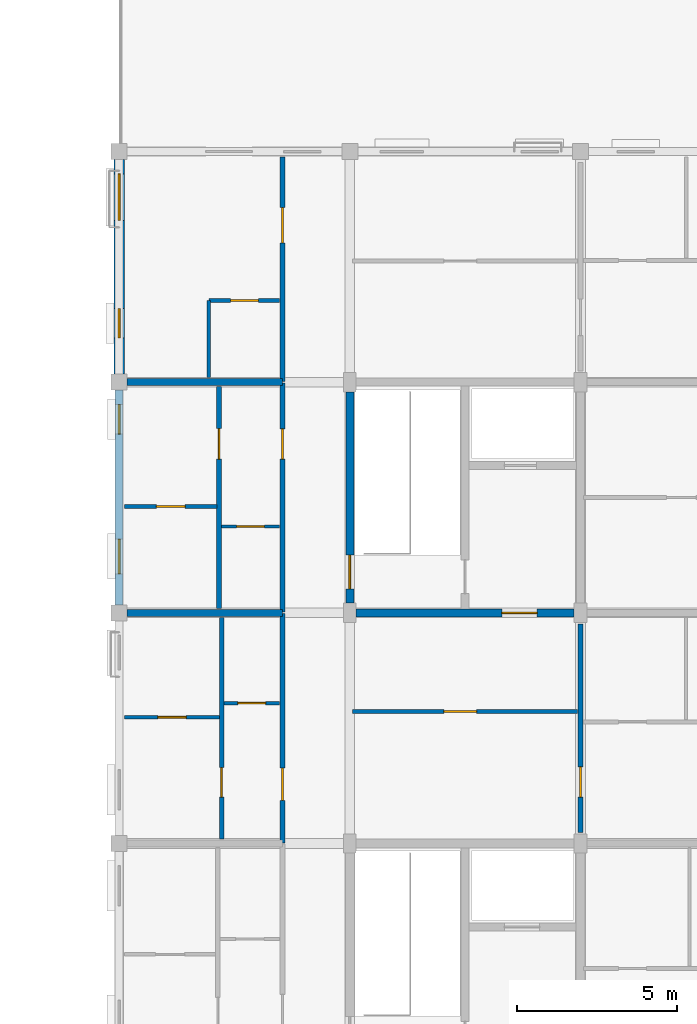
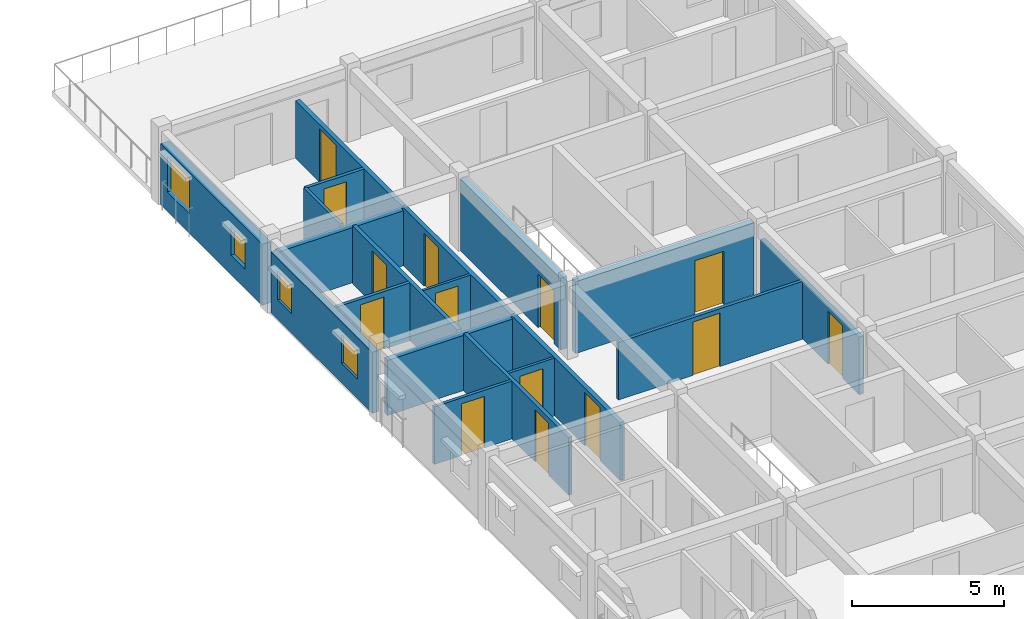
# One storey, part 23 of 38: 19 walls, 14 doors, 4 windows, 18 openings.
"""IFC4 building model written with IfcOpenShell, lengths in metres."""

from ifc_helpers import new_model, si_unit, direction, frame, frame_2d, origin, place, context, subcontext, project, spatial, rectangle, extrude, material, layer, layer_set, type_object, element, fill, save


model = new_model("IFC4")

# Units and contexts
model_context = context("Model", 3, precision=1e-05, world=origin(), true_north=direction((0.0, 1.0)))
body_context = subcontext(model_context, "Body", "Model", "MODEL_VIEW")
ifc_project = project(units=[si_unit("LENGTHUNIT", "METRE"), si_unit("AREAUNIT", "SQUARE_METRE"), si_unit("VOLUMEUNIT", "CUBIC_METRE"), si_unit("PLANEANGLEUNIT", "RADIAN"), si_unit("MASSUNIT", "GRAM", prefix="KILO"), si_unit("THERMODYNAMICTEMPERATUREUNIT", "KELVIN"), si_unit("POWERUNIT", "WATT")], contexts=[model_context])

# Site, building, storey
site_placement = place(None, origin())
site = spatial("IfcSite", under=ifc_project, at=site_placement, CompositionType="ELEMENT")
building_placement = place(site_placement, origin())
building = spatial("IfcBuilding", under=site, at=building_placement, Name="Tavuni Mirador Residences", CompositionType="ELEMENT")
storey_placement = place(building_placement, frame((0.0, 0.0, 32.85009765625)))
storey = spatial("IfcBuildingStorey", under=building, at=storey_placement, Name="L10", CompositionType="ELEMENT", Elevation=32.85009765625)

# Wall, opening, door
ifc_material_1 = material(Name="Precast concrete C40/50", Category="concrete")
ifc_layer_1 = layer(ifc_material_1, 0.25, Name="Precast concrete C40/50", Category="concrete")
ifc_layer_set_1 = layer_set([ifc_layer_1], Name="Precast concrete C40/50")
wall_type_1 = type_object("IfcWallType", Name="WT-COR250", PredefinedType="SHEAR", material=ifc_layer_set_1)
wall_1_placement = place(storey_placement, frame((104.39990234375, 108.300048828125, 0.0), z_axis=(0.0, 0.0, 1.0), x_axis=(0.0, 1.0, 0.0)))
wall_1 = element("IfcWall", 1, at=wall_1_placement, inside=storey, type_object=wall_type_1, Name="CWALL-C8-L10-W", PredefinedType="SHEAR", context=body_context, shape_type="SweptSolid", body=[
    extrude(rectangle(XDim=6.599853515625, YDim=0.25, at=frame_2d((3.2998046875, 0.0))), origin(), (0.0, 0.0, 1.0), 2.889892578125),
])
opening_1_placement = place(wall_1_placement, frame((0.449951171875, 0.0, 0.0)))
opening_1 = element("IfcOpeningElement", 2, at=opening_1_placement, cuts=wall_1, Name="Opening D-01", PredefinedType="OPENING", context=body_context, shape_type="SweptSolid", body=[
    extrude(rectangle(XDim=1.050048828125, YDim=2.14990234375, at=frame_2d((0.52490234375, 1.074951171875))), frame((0.0, 0.135009765625, 0.0), z_axis=(0.0, -1.0, 0.0), x_axis=(1.0, 0.0, 0.0)), (0.0, 0.0, 1.0), 0.27001953125),
])
ifc_material_2 = material(Name="Solid core iroko timber", Category="wood")
door_type_1 = type_object("IfcDoorType", Name="DT-ST1050", OperationType="NOTDEFINED", PredefinedType="DOOR", material=ifc_material_2)
door_1_placement = place(opening_1_placement, origin())
door_1 = element("IfcDoor", 3, at=door_1_placement, inside=storey, type_object=door_type_1, Name="DR-2353", OperationType="SINGLE_SWING_RIGHT", OverallHeight=2.14990234375, OverallWidth=1.050048828125, PredefinedType="DOOR", context=body_context, shape_type="SweptSolid", body=[
    extrude(rectangle(XDim=1.050048828125, YDim=2.14990234375, at=frame_2d((0.52490234375, 1.074951171875))), frame((0.0, 0.02490234375, 0.0), z_axis=(0.0, -1.0, 0.0), x_axis=(1.0, 0.0, 0.0)), (0.0, 0.0, 1.0), 0.050048828125),
])
fill(opening_1, door_1)

wall_2_placement = place(storey_placement, frame((104.60009765625, 108.0, 0.0), z_axis=(0.0, 0.0, 1.0), x_axis=(1.0, 0.0, 0.0)))
wall_2 = element("IfcWall", 4, at=wall_2_placement, inside=storey, type_object=wall_type_1, Name="CWALL-C8-L10-SS", PredefinedType="SHEAR", context=body_context, shape_type="SweptSolid", body=[
    extrude(rectangle(XDim=6.7998046875, YDim=0.25, at=frame_2d((3.39990234375, 0.0))), origin(), (0.0, 0.0, 1.0), 2.889892578125),
])
opening_2_placement = place(wall_2_placement, frame((4.550048828125, 0.0, 0.0)))
opening_2 = element("IfcOpeningElement", 5, at=opening_2_placement, cuts=wall_2, Name="Opening D-02", PredefinedType="OPENING", context=body_context, shape_type="SweptSolid", body=[
    extrude(rectangle(XDim=1.10009765625, YDim=2.14990234375, at=frame_2d((0.550048828125, 1.074951171875))), frame((0.0, 0.135009765625, 0.0), z_axis=(0.0, -1.0, 0.0), x_axis=(1.0, 0.0, 0.0)), (0.0, 0.0, 1.0), 0.27001953125),
])
door_type_2 = type_object("IfcDoorType", Name="DT-LOB1100", OperationType="NOTDEFINED", PredefinedType="DOOR", material=ifc_material_2)
door_2_placement = place(opening_2_placement, frame((1.10009765625, 0.0, 0.0), z_axis=(0.0, 0.0, 1.0), x_axis=(-1.0, 0.0, 0.0)))
door_2 = element("IfcDoor", 6, at=door_2_placement, inside=storey, type_object=door_type_2, Name="DR-2354", OperationType="SINGLE_SWING_RIGHT", OverallHeight=2.14990234375, OverallWidth=1.10009765625, PredefinedType="DOOR", context=body_context, shape_type="SweptSolid", body=[
    extrude(rectangle(XDim=1.10009765625, YDim=2.14990234375, at=frame_2d((0.550048828125, 1.074951171875))), frame((0.0, 0.02490234375, 0.0), z_axis=(0.0, -1.0, 0.0), x_axis=(1.0, 0.0, 0.0)), (0.0, 0.0, 1.0), 0.050048828125),
])
fill(opening_2, door_2)

ifc_layer_2 = layer(ifc_material_1, 0.1650390625, Name="Precast concrete C40/50", Category="concrete")
ifc_layer_set_2 = layer_set([ifc_layer_2], Name="Precast concrete C40/50")
wall_type_2 = type_object("IfcWallType", Name="WT-CORR165", PredefinedType="PARTITIONING", material=ifc_layer_set_2)
wall_3_placement = place(storey_placement, frame((102.300048828125, 100.820068359375, 0.0), z_axis=(0.0, 0.0, 1.0), x_axis=(0.0, 1.0, 0.0)))
wall_3 = element("IfcWall", 7, at=wall_3_placement, inside=storey, type_object=wall_type_2, Name="CORW-BLK-D-L10-0-02", PredefinedType="PARTITIONING", context=body_context, shape_type="SweptSolid", body=[
    extrude(rectangle(XDim=7.159912109375, YDim=0.1650390625, at=frame_2d((3.580078125, 0.0))), origin(), (0.0, 0.0, 1.0), 2.324951171875),
])
opening_3_placement = place(wall_3_placement, frame((1.330078125, 0.0, 0.0)))
opening_3 = element("IfcOpeningElement", 8, at=opening_3_placement, cuts=wall_3, Name="Opening D-03", PredefinedType="OPENING", context=body_context, shape_type="SweptSolid", body=[
    extrude(rectangle(XDim=1.0, YDim=2.14990234375, at=frame_2d((0.5, 1.074951171875))), frame((0.0, 0.092529296875, 0.0), z_axis=(0.0, -1.0, 0.0), x_axis=(1.0, 0.0, 0.0)), (0.0, 0.0, 1.0), 0.18505859375),
])
door_type_3 = type_object("IfcDoorType", Name="DT-FD60-1000", OperationType="NOTDEFINED", PredefinedType="DOOR", material=ifc_material_2)
door_3_placement = place(opening_3_placement, origin())
door_3 = element("IfcDoor", 9, at=door_3_placement, inside=storey, type_object=door_type_3, Name="DR-2925", OperationType="SINGLE_SWING_RIGHT", OverallHeight=2.14990234375, OverallWidth=1.0, PredefinedType="DOOR", context=body_context, shape_type="SweptSolid", body=[
    extrude(rectangle(XDim=1.0, YDim=2.14990234375, at=frame_2d((0.5, 1.074951171875))), frame((0.0, 0.02490234375, 0.0), z_axis=(0.0, -1.0, 0.0), x_axis=(1.0, 0.0, 0.0)), (0.0, 0.0, 1.0), 0.050048828125),
])
fill(opening_3, door_3)

wall_4_placement = place(storey_placement, frame((102.300048828125, 108.02001953125, 0.0), z_axis=(0.0, 0.0, 1.0), x_axis=(0.0, 1.0, 0.0)))
wall_4 = element("IfcWall", 10, at=wall_4_placement, inside=storey, type_object=wall_type_2, Name="CORW-BLK-D-L10-0-03", PredefinedType="PARTITIONING", context=body_context, shape_type="SweptSolid", body=[
    extrude(rectangle(XDim=7.159912109375, YDim=0.1650390625, at=frame_2d((3.580078125, 0.0))), origin(), (0.0, 0.0, 1.0), 2.324951171875),
])
opening_4_placement = place(wall_4_placement, frame((4.780029296875, 0.0, 0.0)))
opening_4 = element("IfcOpeningElement", 11, at=opening_4_placement, cuts=wall_4, Name="Opening D-19", PredefinedType="OPENING", context=body_context, shape_type="SweptSolid", body=[
    extrude(rectangle(XDim=0.93994140625, YDim=2.1201171875, at=frame_2d((0.469970703125, 1.06005859375))), frame((0.0, 0.092529296875, 0.0), z_axis=(0.0, -1.0, 0.0), x_axis=(1.0, 0.0, 0.0)), (0.0, 0.0, 1.0), 0.18505859375),
])
door_type_4 = type_object("IfcDoorType", Name="DT-FD60-940", OperationType="NOTDEFINED", PredefinedType="DOOR", material=ifc_material_2)
door_4_placement = place(opening_4_placement, origin())
door_4 = element("IfcDoor", 12, at=door_4_placement, inside=storey, type_object=door_type_4, Name="DR-2926", OperationType="SINGLE_SWING_LEFT", OverallHeight=2.1201171875, OverallWidth=0.93994140625, PredefinedType="DOOR", context=body_context, shape_type="SweptSolid", body=[
    extrude(rectangle(XDim=0.93994140625, YDim=2.1201171875, at=frame_2d((0.469970703125, 1.06005859375))), frame((0.0, 0.02490234375, 0.0), z_axis=(0.0, -1.0, 0.0), x_axis=(1.0, 0.0, 0.0)), (0.0, 0.0, 1.0), 0.050048828125),
])
fill(opening_4, door_4)

wall_5_placement = place(storey_placement, frame((102.300048828125, 115.219970703125, 0.0), z_axis=(0.0, 0.0, 1.0), x_axis=(0.0, 1.0, 0.0)))
wall_5 = element("IfcWall", 13, at=wall_5_placement, inside=storey, type_object=wall_type_2, Name="CORW-BLK-D-L10-0-04", PredefinedType="PARTITIONING", context=body_context, shape_type="SweptSolid", body=[
    extrude(rectangle(XDim=7.005126953125, YDim=0.1650390625, at=frame_2d((3.50244140625, 0.0))), origin(), (0.0, 0.0, 1.0), 2.324951171875),
])
opening_5_placement = place(wall_5_placement, frame((4.330078125, 0.0, 0.0)))
opening_5 = element("IfcOpeningElement", 14, at=opening_5_placement, cuts=wall_5, Name="Opening D-02", PredefinedType="OPENING", context=body_context, shape_type="SweptSolid", body=[
    extrude(rectangle(XDim=1.10009765625, YDim=2.14990234375, at=frame_2d((0.550048828125, 1.074951171875))), frame((0.0, 0.092529296875, 0.0), z_axis=(0.0, -1.0, 0.0), x_axis=(1.0, 0.0, 0.0)), (0.0, 0.0, 1.0), 0.18505859375),
])
door_5_placement = place(opening_5_placement, origin())
door_5 = element("IfcDoor", 15, at=door_5_placement, inside=storey, type_object=door_type_2, Name="DR-2927", OperationType="SINGLE_SWING_RIGHT", OverallHeight=2.14990234375, OverallWidth=1.10009765625, PredefinedType="DOOR", context=body_context, shape_type="SweptSolid", body=[
    extrude(rectangle(XDim=1.10009765625, YDim=2.14990234375, at=frame_2d((0.550048828125, 1.074951171875))), frame((0.0, 0.02490234375, 0.0), z_axis=(0.0, -1.0, 0.0), x_axis=(1.0, 0.0, 0.0)), (0.0, 0.0, 1.0), 0.050048828125),
])
fill(opening_5, door_5)

wall_6_placement = place(storey_placement, frame((111.60009765625, 101.14990234375, 0.0), z_axis=(0.0, 0.0, 1.0), x_axis=(0.0, 1.0, 0.0)))
wall_6 = element("IfcWall", 16, at=wall_6_placement, inside=storey, type_object=wall_type_2, Name="CORW-BLK-D-L10-1-02", PredefinedType="PARTITIONING", context=body_context, shape_type="SweptSolid", body=[
    extrude(rectangle(XDim=6.5, YDim=0.1650390625, at=frame_2d((3.25, 0.0))), origin(), (0.0, 0.0, 1.0), 2.324951171875),
])
opening_6_placement = place(wall_6_placement, frame((1.10009765625, 0.0, 0.0)))
opening_6 = element("IfcOpeningElement", 17, at=opening_6_placement, cuts=wall_6, Name="Opening D-19", PredefinedType="OPENING", context=body_context, shape_type="SweptSolid", body=[
    extrude(rectangle(XDim=0.93994140625, YDim=2.1201171875, at=frame_2d((0.469970703125, 1.06005859375))), frame((0.0, 0.092529296875, 0.0), z_axis=(0.0, -1.0, 0.0), x_axis=(1.0, 0.0, 0.0)), (0.0, 0.0, 1.0), 0.18505859375),
])
door_6_placement = place(opening_6_placement, origin())
door_6 = element("IfcDoor", 18, at=door_6_placement, inside=storey, type_object=door_type_4, Name="DR-2929", OperationType="SINGLE_SWING_RIGHT", OverallHeight=2.1201171875, OverallWidth=0.93994140625, PredefinedType="DOOR", context=body_context, shape_type="SweptSolid", body=[
    extrude(rectangle(XDim=0.93994140625, YDim=2.1201171875, at=frame_2d((0.469970703125, 1.06005859375))), frame((0.0, 0.02490234375, 0.0), z_axis=(0.0, -1.0, 0.0), x_axis=(1.0, 0.0, 0.0)), (0.0, 0.0, 1.0), 0.050048828125),
])
fill(opening_6, door_6)

# Wall, openings, windows
ifc_layer_3 = layer(ifc_material_1, 0.330078125, Name="Precast concrete C40/50", Category="concrete")
ifc_layer_set_3 = layer_set([ifc_layer_3], Name="Precast concrete C40/50")
wall_type_3 = type_object("IfcWallType", Name="WT-EXT-COR330", PredefinedType="SOLIDWALL", material=ifc_layer_set_3)
wall_7_placement = place(storey_placement, frame((97.199951171875, 122.14990234375, 0.0), z_axis=(0.0, 0.0, 1.0), x_axis=(0.0, -1.0, 0.0)))
wall_7 = element("IfcWall", 19, at=wall_7_placement, inside=storey, type_object=wall_type_3, Name="EW-BLK-D-L10-W04", PredefinedType="SOLIDWALL", context=body_context, shape_type="SweptSolid", body=[
    extrude(rectangle(XDim=6.699951171875, YDim=0.330078125, at=frame_2d((3.35009765625, 0.0))), origin(), (0.0, 0.0, 1.0), 2.4599609375),
])
opening_7_placement = place(wall_7_placement, frame((0.449951171875, 0.0, 0.780029296875)))
opening_7 = element("IfcOpeningElement", 20, at=opening_7_placement, cuts=wall_7, Name="Opening WN-30", PredefinedType="OPENING", context=body_context, shape_type="SweptSolid", body=[
    extrude(rectangle(XDim=1.449951171875, YDim=1.43994140625, at=frame_2d((0.72509765625, 0.719970703125))), frame((0.0, 0.175048828125, 0.0), z_axis=(0.0, -1.0, 0.0), x_axis=(1.0, 0.0, 0.0)), (0.0, 0.0, 1.0), 0.35009765625),
])
opening_8_placement = place(wall_7_placement, frame((4.64990234375, 0.0, 0.780029296875)))
opening_8 = element("IfcOpeningElement", 21, at=opening_8_placement, cuts=wall_7, Name="Opening WN-02", PredefinedType="OPENING", context=body_context, shape_type="SweptSolid", body=[
    extrude(rectangle(XDim=0.919921875, YDim=1.14990234375, at=frame_2d((0.4599609375, 0.574951171875))), frame((0.0, 0.175048828125, 0.0), z_axis=(0.0, -1.0, 0.0), x_axis=(1.0, 0.0, 0.0)), (0.0, 0.0, 1.0), 0.35009765625),
])
ifc_material_3 = material(Name="Laminated solar-control glass", Category="glass")
window_type_1 = type_object("IfcWindowType", Name="WNT-02", PartitioningType="SINGLE_PANEL", PredefinedType="WINDOW", material=ifc_material_3)
window_1_placement = place(opening_8_placement, origin())
window_1 = element("IfcWindow", 22, at=window_1_placement, inside=storey, type_object=window_type_1, Name="WIN-1820", OverallHeight=1.14990234375, OverallWidth=0.919921875, PartitioningType="SINGLE_PANEL", PredefinedType="WINDOW", context=body_context, shape_type="SweptSolid", body=[
    extrude(rectangle(XDim=0.919921875, YDim=1.14990234375, at=frame_2d((0.4599609375, 0.574951171875))), frame((0.0, 0.030029296875, 0.0), z_axis=(0.0, -1.0, 0.0), x_axis=(1.0, 0.0, 0.0)), (0.0, 0.0, 1.0), 0.06005859375),
])
fill(opening_8, window_1)
window_type_2 = type_object("IfcWindowType", Name="WNT-30", PartitioningType="SINGLE_PANEL", PredefinedType="WINDOW", material=ifc_material_3)
window_2_placement = place(opening_7_placement, origin())
window_2 = element("IfcWindow", 23, at=window_2_placement, inside=storey, type_object=window_type_2, Name="WIN-1819", OverallHeight=1.43994140625, OverallWidth=1.449951171875, PartitioningType="SINGLE_PANEL", PredefinedType="WINDOW", context=body_context, shape_type="SweptSolid", body=[
    extrude(rectangle(XDim=1.449951171875, YDim=1.43994140625, at=frame_2d((0.72509765625, 0.719970703125))), frame((0.0, 0.030029296875, 0.0), z_axis=(0.0, -1.0, 0.0), x_axis=(1.0, 0.0, 0.0)), (0.0, 0.0, 1.0), 0.06005859375),
])
fill(opening_7, window_2)

ifc_material_4 = material(Name="Sgraffito lime-rendered precast concrete C40/50", Category="concrete")
ifc_layer_4 = layer(ifc_material_4, 0.2451171875, Name="Sgraffito lime-rendered precast concrete C40/50", Category="concrete")
ifc_layer_set_4 = layer_set([ifc_layer_4], Name="Sgraffito lime-rendered precast concrete C40/50")
wall_type_4 = type_object("IfcWallType", Name="WT-EXT-PC245", PredefinedType="SOLIDWALL", material=ifc_layer_set_4)
wall_8_placement = place(storey_placement, frame((97.199951171875, 114.949951171875, 0.0), z_axis=(0.0, 0.0, 1.0), x_axis=(0.0, -1.0, 0.0)))
wall_8 = element("IfcWall", 24, at=wall_8_placement, inside=storey, type_object=wall_type_4, Name="EW-BLK-D-L10-W03", PredefinedType="SOLIDWALL", context=body_context, shape_type="SweptSolid", body=[
    extrude(rectangle(XDim=6.699951171875, YDim=0.2451171875, at=frame_2d((3.35009765625, 0.0))), origin(), (0.0, 0.0, 1.0), 2.4599609375),
])
opening_9_placement = place(wall_8_placement, frame((0.449951171875, 0.0, 0.780029296875)))
opening_9 = element("IfcOpeningElement", 25, at=opening_9_placement, cuts=wall_8, Name="Opening WN-02", PredefinedType="OPENING", context=body_context, shape_type="SweptSolid", body=[
    extrude(rectangle(XDim=0.919921875, YDim=1.14990234375, at=frame_2d((0.4599609375, 0.574951171875))), frame((0.0, 0.132568359375, 0.0), z_axis=(0.0, -1.0, 0.0), x_axis=(1.0, 0.0, 0.0)), (0.0, 0.0, 1.0), 0.26513671875),
])
opening_10_placement = place(wall_8_placement, frame((4.64990234375, 0.0, 0.780029296875)))
opening_10 = element("IfcOpeningElement", 26, at=opening_10_placement, cuts=wall_8, Name="Opening WN-04", PredefinedType="OPENING", context=body_context, shape_type="SweptSolid", body=[
    extrude(rectangle(XDim=1.080078125, YDim=1.14990234375, at=frame_2d((0.5400390625, 0.574951171875))), frame((0.0, 0.132568359375, 0.0), z_axis=(0.0, -1.0, 0.0), x_axis=(1.0, 0.0, 0.0)), (0.0, 0.0, 1.0), 0.26513671875),
])
window_3_placement = place(opening_9_placement, origin())
window_3 = element("IfcWindow", 27, at=window_3_placement, inside=storey, type_object=window_type_1, Name="WIN-1821", OverallHeight=1.14990234375, OverallWidth=0.919921875, PartitioningType="SINGLE_PANEL", PredefinedType="WINDOW", context=body_context, shape_type="SweptSolid", body=[
    extrude(rectangle(XDim=0.919921875, YDim=1.14990234375, at=frame_2d((0.4599609375, 0.574951171875))), frame((0.0, 0.030029296875, 0.0), z_axis=(0.0, -1.0, 0.0), x_axis=(1.0, 0.0, 0.0)), (0.0, 0.0, 1.0), 0.06005859375),
])
fill(opening_9, window_3)
window_type_3 = type_object("IfcWindowType", Name="WNT-04", PartitioningType="SINGLE_PANEL", PredefinedType="WINDOW", material=ifc_material_3)
window_4_placement = place(opening_10_placement, origin())
window_4 = element("IfcWindow", 28, at=window_4_placement, inside=storey, type_object=window_type_3, Name="WIN-1822", OverallHeight=1.14990234375, OverallWidth=1.080078125, PartitioningType="SINGLE_PANEL", PredefinedType="WINDOW", context=body_context, shape_type="SweptSolid", body=[
    extrude(rectangle(XDim=1.080078125, YDim=1.14990234375, at=frame_2d((0.5400390625, 0.574951171875))), frame((0.0, 0.030029296875, 0.0), z_axis=(0.0, -1.0, 0.0), x_axis=(1.0, 0.0, 0.0)), (0.0, 0.0, 1.0), 0.06005859375),
])
fill(opening_10, window_4)

# Wall, opening, door
ifc_material_5 = material(Name="Acoustic gypsum and concrete block partition", Category="concrete")
ifc_layer_5 = layer(ifc_material_5, 0.094970703125, Name="Acoustic gypsum and concrete block partition", Category="concrete")
ifc_layer_set_5 = layer_set([ifc_layer_5], Name="Acoustic gypsum and concrete block partition")
wall_type_5 = type_object("IfcWallType", Name="WT-PART095", PredefinedType="PARTITIONING", material=ifc_layer_set_5)
wall_9_placement = place(storey_placement, frame((100.389892578125, 110.699951171875, 0.0), z_axis=(0.0, 0.0, 1.0), x_axis=(1.0, 0.0, 0.0)))
wall_9 = element("IfcWall", 29, at=wall_9_placement, inside=storey, type_object=wall_type_5, Name="PW-BLK-D-L10-W03-IN1", PredefinedType="PARTITIONING", context=body_context, shape_type="SweptSolid", body=[
    extrude(rectangle(XDim=1.820068359375, YDim=0.094970703125, at=frame_2d((0.91015625, 0.0))), origin(), (0.0, 0.0, 1.0), 2.324951171875),
])
opening_11_placement = place(wall_9_placement, frame((0.47509765625, 0.0, 0.0)))
opening_11 = element("IfcOpeningElement", 30, at=opening_11_placement, cuts=wall_9, Name="Opening D-10", PredefinedType="OPENING", context=body_context, shape_type="SweptSolid", body=[
    extrude(rectangle(XDim=0.8701171875, YDim=2.050048828125, at=frame_2d((0.43505859375, 1.02490234375))), frame((0.0, 0.0576171875, 0.0), z_axis=(0.0, -1.0, 0.0), x_axis=(1.0, 0.0, 0.0)), (0.0, 0.0, 1.0), 0.114990234375),
])
door_type_5 = type_object("IfcDoorType", Name="DT-WC870", OperationType="NOTDEFINED", PredefinedType="DOOR", material=ifc_material_2)
door_7_placement = place(opening_11_placement, origin())
door_7 = element("IfcDoor", 31, at=door_7_placement, inside=storey, type_object=door_type_5, Name="DR-4665", OperationType="SINGLE_SWING_RIGHT", OverallHeight=2.050048828125, OverallWidth=0.8701171875, PredefinedType="DOOR", context=body_context, shape_type="SweptSolid", body=[
    extrude(rectangle(XDim=0.8701171875, YDim=2.050048828125, at=frame_2d((0.43505859375, 1.02490234375))), frame((0.0, 0.02490234375, 0.0), z_axis=(0.0, -1.0, 0.0), x_axis=(1.0, 0.0, 0.0)), (0.0, 0.0, 1.0), 0.050048828125),
])
fill(opening_11, door_7)

ifc_layer_6 = layer(ifc_material_5, 0.10498046875, Name="Acoustic gypsum and concrete block partition", Category="concrete")
ifc_layer_set_6 = layer_set([ifc_layer_6], Name="Acoustic gypsum and concrete block partition")
wall_type_6 = type_object("IfcWallType", Name="WT-PART105", PredefinedType="PARTITIONING", material=ifc_layer_set_6)
wall_10_placement = place(storey_placement, frame((100.469970703125, 105.179931640625, 0.0), z_axis=(0.0, 0.0, 1.0), x_axis=(1.0, 0.0, 0.0)))
wall_10 = element("IfcWall", 32, at=wall_10_placement, inside=storey, type_object=wall_type_6, Name="PW-BLK-D-L10-W02-IN1", PredefinedType="PARTITIONING", context=body_context, shape_type="SweptSolid", body=[
    extrude(rectangle(XDim=1.739990234375, YDim=0.10498046875, at=frame_2d((0.8701171875, 0.0))), origin(), (0.0, 0.0, 1.0), 2.324951171875),
])
opening_12_placement = place(wall_10_placement, frame((0.43505859375, 0.0, 0.0)))
opening_12 = element("IfcOpeningElement", 33, at=opening_12_placement, cuts=wall_10, Name="Opening D-10", PredefinedType="OPENING", context=body_context, shape_type="SweptSolid", body=[
    extrude(rectangle(XDim=0.8701171875, YDim=2.050048828125, at=frame_2d((0.43505859375, 1.02490234375))), frame((0.0, 0.0625, 0.0), z_axis=(0.0, -1.0, 0.0), x_axis=(1.0, 0.0, 0.0)), (0.0, 0.0, 1.0), 0.125),
])
door_8_placement = place(opening_12_placement, origin())
door_8 = element("IfcDoor", 34, at=door_8_placement, inside=storey, type_object=door_type_5, Name="DR-4660", OperationType="SINGLE_SWING_LEFT", OverallHeight=2.050048828125, OverallWidth=0.8701171875, PredefinedType="DOOR", context=body_context, shape_type="SweptSolid", body=[
    extrude(rectangle(XDim=0.8701171875, YDim=2.050048828125, at=frame_2d((0.43505859375, 1.02490234375))), frame((0.0, 0.02490234375, 0.0), z_axis=(0.0, -1.0, 0.0), x_axis=(1.0, 0.0, 0.0)), (0.0, 0.0, 1.0), 0.050048828125),
])
fill(opening_12, door_8)

ifc_layer_7 = layer(ifc_material_5, 0.114990234375, Name="Acoustic gypsum and concrete block partition", Category="concrete")
ifc_layer_set_7 = layer_set([ifc_layer_7], Name="Acoustic gypsum and concrete block partition")
wall_type_7 = type_object("IfcWallType", Name="WT-PART115", PredefinedType="PARTITIONING", material=ifc_layer_set_7)
wall_11_placement = place(storey_placement, frame((97.375, 104.739990234375, 0.0), z_axis=(0.0, 0.0, 1.0), x_axis=(1.0, 0.0, 0.0)))
wall_11 = element("IfcWall", 35, at=wall_11_placement, inside=storey, type_object=wall_type_7, Name="PW-BLK-D-L10-W02-OUT", PredefinedType="PARTITIONING", context=body_context, shape_type="SweptSolid", body=[
    extrude(rectangle(XDim=2.955078125, YDim=0.114990234375, at=frame_2d((1.4775390625, 0.0))), origin(), (0.0, 0.0, 1.0), 2.324951171875),
])
opening_13_placement = place(wall_11_placement, frame((1.03759765625, 0.0, 0.0)))
opening_13 = element("IfcOpeningElement", 36, at=opening_13_placement, cuts=wall_11, Name="Opening D-08", PredefinedType="OPENING", context=body_context, shape_type="SweptSolid", body=[
    extrude(rectangle(XDim=0.8798828125, YDim=2.080078125, at=frame_2d((0.43994140625, 1.0400390625))), frame((0.0, 0.0673828125, 0.0), z_axis=(0.0, -1.0, 0.0), x_axis=(1.0, 0.0, 0.0)), (0.0, 0.0, 1.0), 0.135009765625),
])
door_type_6 = type_object("IfcDoorType", Name="DT-BED880", OperationType="NOTDEFINED", PredefinedType="DOOR", material=ifc_material_2)
door_9_placement = place(opening_13_placement, origin())
door_9 = element("IfcDoor", 37, at=door_9_placement, inside=storey, type_object=door_type_6, Name="DR-4659", OperationType="SINGLE_SWING_RIGHT", OverallHeight=2.080078125, OverallWidth=0.8798828125, PredefinedType="DOOR", context=body_context, shape_type="SweptSolid", body=[
    extrude(rectangle(XDim=0.8798828125, YDim=2.080078125, at=frame_2d((0.43994140625, 1.0400390625))), frame((0.0, 0.02490234375, 0.0), z_axis=(0.0, -1.0, 0.0), x_axis=(1.0, 0.0, 0.0)), (0.0, 0.0, 1.0), 0.050048828125),
])
fill(opening_13, door_9)

# Wall
wall_12_placement = place(storey_placement, frame((100.0, 115.340087890625, 0.0), z_axis=(0.0, 0.0, 1.0), x_axis=(0.0, 1.0, 0.0)))
element("IfcWall", 38, at=wall_12_placement, inside=storey, type_object=wall_type_7, Name="PW-BLK-D-L10-W04-1", PredefinedType="PARTITIONING", context=body_context, shape_type="SweptSolid", body=[
    extrude(rectangle(XDim=2.409912109375, YDim=0.114990234375, at=frame_2d((1.205078125, 0.0))), origin(), (0.0, 0.0, 1.0), 2.324951171875),
])

# Wall, opening, door
ifc_layer_8 = layer(ifc_material_5, 0.125, Name="Acoustic gypsum and concrete block partition", Category="concrete")
ifc_layer_set_8 = layer_set([ifc_layer_8], Name="Acoustic gypsum and concrete block partition")
wall_type_8 = type_object("IfcWallType", Name="WT-PART125", PredefinedType="PARTITIONING", material=ifc_layer_set_8)
wall_13_placement = place(storey_placement, frame((104.489990234375, 104.919921875, 0.0), z_axis=(0.0, 0.0, 1.0), x_axis=(1.0, 0.0, 0.0)))
wall_13 = element("IfcWall", 39, at=wall_13_placement, inside=storey, type_object=wall_type_8, Name="PW-SPN-BLK-D-L10-02", PredefinedType="PARTITIONING", context=body_context, shape_type="SweptSolid", body=[
    extrude(rectangle(XDim=7.02001953125, YDim=0.125, at=frame_2d((3.510009765625, 0.0))), origin(), (0.0, 0.0, 1.0), 2.324951171875),
])
opening_14_placement = place(wall_13_placement, frame((2.85009765625, 0.0, 0.0)))
opening_14 = element("IfcOpeningElement", 40, at=opening_14_placement, cuts=wall_13, Name="Opening D-13", PredefinedType="OPENING", context=body_context, shape_type="SweptSolid", body=[
    extrude(rectangle(XDim=1.02001953125, YDim=2.14990234375, at=frame_2d((0.510009765625, 1.074951171875))), frame((0.0, 0.072509765625, 0.0), z_axis=(0.0, -1.0, 0.0), x_axis=(1.0, 0.0, 0.0)), (0.0, 0.0, 1.0), 0.14501953125),
])
door_type_7 = type_object("IfcDoorType", Name="DT-MTG1020", OperationType="NOTDEFINED", PredefinedType="DOOR", material=ifc_material_2)
door_10_placement = place(opening_14_placement, origin())
door_10 = element("IfcDoor", 41, at=door_10_placement, inside=storey, type_object=door_type_7, Name="DR-4658", OperationType="SINGLE_SWING_LEFT", OverallHeight=2.14990234375, OverallWidth=1.02001953125, PredefinedType="DOOR", context=body_context, shape_type="SweptSolid", body=[
    extrude(rectangle(XDim=1.02001953125, YDim=2.14990234375, at=frame_2d((0.510009765625, 1.074951171875))), frame((0.0, 0.02490234375, 0.0), z_axis=(0.0, -1.0, 0.0), x_axis=(1.0, 0.0, 0.0)), (0.0, 0.0, 1.0), 0.050048828125),
])
fill(opening_14, door_10)

wall_14_placement = place(storey_placement, frame((97.375, 111.320068359375, 0.0), z_axis=(0.0, 0.0, 1.0), x_axis=(1.0, 0.0, 0.0)))
wall_14 = element("IfcWall", 42, at=wall_14_placement, inside=storey, type_object=wall_type_8, Name="PW-BLK-D-L10-W03-OUT", PredefinedType="PARTITIONING", context=body_context, shape_type="SweptSolid", body=[
    extrude(rectangle(XDim=2.875, YDim=0.125, at=frame_2d((1.4375, 0.0))), origin(), (0.0, 0.0, 1.0), 2.324951171875),
])
opening_15_placement = place(wall_14_placement, frame((0.987548828125, 0.0, 0.0)))
opening_15 = element("IfcOpeningElement", 43, at=opening_15_placement, cuts=wall_14, Name="Opening D-07", PredefinedType="OPENING", context=body_context, shape_type="SweptSolid", body=[
    extrude(rectangle(XDim=0.89990234375, YDim=2.10009765625, at=frame_2d((0.449951171875, 1.050048828125))), frame((0.0, 0.072509765625, 0.0), z_axis=(0.0, -1.0, 0.0), x_axis=(1.0, 0.0, 0.0)), (0.0, 0.0, 1.0), 0.14501953125),
])
door_type_8 = type_object("IfcDoorType", Name="DT-BED900", OperationType="NOTDEFINED", PredefinedType="DOOR", material=ifc_material_2)
door_11_placement = place(opening_15_placement, origin())
door_11 = element("IfcDoor", 44, at=door_11_placement, inside=storey, type_object=door_type_8, Name="DR-4664", OperationType="SINGLE_SWING_LEFT", OverallHeight=2.10009765625, OverallWidth=0.89990234375, PredefinedType="DOOR", context=body_context, shape_type="SweptSolid", body=[
    extrude(rectangle(XDim=0.89990234375, YDim=2.10009765625, at=frame_2d((0.449951171875, 1.050048828125))), frame((0.0, 0.02490234375, 0.0), z_axis=(0.0, -1.0, 0.0), x_axis=(1.0, 0.0, 0.0)), (0.0, 0.0, 1.0), 0.050048828125),
])
fill(opening_15, door_11)

wall_15_placement = place(storey_placement, frame((100.0, 117.75, 0.0), z_axis=(0.0, 0.0, 1.0), x_axis=(1.0, 0.0, 0.0)))
wall_15 = element("IfcWall", 45, at=wall_15_placement, inside=storey, type_object=wall_type_8, Name="PW-BLK-D-L10-W04-2", PredefinedType="PARTITIONING", context=body_context, shape_type="SweptSolid", body=[
    extrude(rectangle(XDim=2.2099609375, YDim=0.125, at=frame_2d((1.10498046875, 0.0))), origin(), (0.0, 0.0, 1.0), 2.324951171875),
])
opening_16_placement = place(wall_15_placement, frame((0.679931640625, 0.0, 0.0)))
opening_16 = element("IfcOpeningElement", 46, at=opening_16_placement, cuts=wall_15, Name="Opening D-10", PredefinedType="OPENING", context=body_context, shape_type="SweptSolid", body=[
    extrude(rectangle(XDim=0.8701171875, YDim=2.050048828125, at=frame_2d((0.43505859375, 1.02490234375))), frame((0.0, 0.072509765625, 0.0), z_axis=(0.0, -1.0, 0.0), x_axis=(1.0, 0.0, 0.0)), (0.0, 0.0, 1.0), 0.14501953125),
])
door_12_placement = place(opening_16_placement, origin())
door_12 = element("IfcDoor", 47, at=door_12_placement, inside=storey, type_object=door_type_5, Name="DR-4669", OperationType="SINGLE_SWING_RIGHT", OverallHeight=2.050048828125, OverallWidth=0.8701171875, PredefinedType="DOOR", context=body_context, shape_type="SweptSolid", body=[
    extrude(rectangle(XDim=0.8701171875, YDim=2.050048828125, at=frame_2d((0.43505859375, 1.02490234375))), frame((0.0, 0.02490234375, 0.0), z_axis=(0.0, -1.0, 0.0), x_axis=(1.0, 0.0, 0.0)), (0.0, 0.0, 1.0), 0.050048828125),
])
fill(opening_16, door_12)

ifc_layer_9 = layer(ifc_material_5, 0.139892578125, Name="Acoustic gypsum and concrete block partition", Category="concrete")
ifc_layer_set_9 = layer_set([ifc_layer_9], Name="Acoustic gypsum and concrete block partition")
wall_type_9 = type_object("IfcWallType", Name="WT-PART140", PredefinedType="PARTITIONING", material=ifc_layer_set_9)
wall_16_placement = place(storey_placement, frame((100.39990234375, 100.93994140625, 0.0), z_axis=(0.0, 0.0, 1.0), x_axis=(0.0, 1.0, 0.0)))
wall_16 = element("IfcWall", 48, at=wall_16_placement, inside=storey, type_object=wall_type_9, Name="PW-BLK-D-L10-W02-MID", PredefinedType="PARTITIONING", context=body_context, shape_type="SweptSolid", body=[
    extrude(rectangle(XDim=6.920166015625, YDim=0.139892578125, at=frame_2d((3.4599609375, 0.0))), origin(), (0.0, 0.0, 1.0), 2.324951171875),
])
opening_17_placement = place(wall_16_placement, frame((1.31005859375, 0.0, 0.0)))
opening_17 = element("IfcOpeningElement", 49, at=opening_17_placement, cuts=wall_16, Name="Opening D-06", PredefinedType="OPENING", context=body_context, shape_type="SweptSolid", body=[
    extrude(rectangle(XDim=0.919921875, YDim=2.10009765625, at=frame_2d((0.4599609375, 1.050048828125))), frame((0.0, 0.080078125, 0.0), z_axis=(0.0, -1.0, 0.0), x_axis=(1.0, 0.0, 0.0)), (0.0, 0.0, 1.0), 0.159912109375),
])
door_type_9 = type_object("IfcDoorType", Name="DT-INT920", OperationType="NOTDEFINED", PredefinedType="DOOR", material=ifc_material_2)
door_13_placement = place(opening_17_placement, origin())
door_13 = element("IfcDoor", 50, at=door_13_placement, inside=storey, type_object=door_type_9, Name="DR-4661", OperationType="SINGLE_SWING_RIGHT", OverallHeight=2.10009765625, OverallWidth=0.919921875, PredefinedType="DOOR", context=body_context, shape_type="SweptSolid", body=[
    extrude(rectangle(XDim=0.919921875, YDim=2.10009765625, at=frame_2d((0.4599609375, 1.050048828125))), frame((0.0, 0.02490234375, 0.0), z_axis=(0.0, -1.0, 0.0), x_axis=(1.0, 0.0, 0.0)), (0.0, 0.0, 1.0), 0.050048828125),
])
fill(opening_17, door_13)

ifc_layer_10 = layer(ifc_material_5, 0.14990234375, Name="Acoustic gypsum and concrete block partition", Category="concrete")
ifc_layer_set_10 = layer_set([ifc_layer_10], Name="Acoustic gypsum and concrete block partition")
wall_type_10 = type_object("IfcWallType", Name="WT-PART150", PredefinedType="PARTITIONING", material=ifc_layer_set_10)
wall_17_placement = place(storey_placement, frame((100.320068359375, 108.139892578125, 0.0), z_axis=(0.0, 0.0, 1.0), x_axis=(0.0, 1.0, 0.0)))
wall_17 = element("IfcWall", 51, at=wall_17_placement, inside=storey, type_object=wall_type_10, Name="PW-BLK-D-L10-W03-MID", PredefinedType="PARTITIONING", context=body_context, shape_type="SweptSolid", body=[
    extrude(rectangle(XDim=6.920166015625, YDim=0.14990234375, at=frame_2d((3.4599609375, 0.0))), origin(), (0.0, 0.0, 1.0), 2.324951171875),
])
opening_18_placement = place(wall_17_placement, frame((4.659912109375, 0.0, 0.0)))
opening_18 = element("IfcOpeningElement", 52, at=opening_18_placement, cuts=wall_17, Name="Opening D-05", PredefinedType="OPENING", context=body_context, shape_type="SweptSolid", body=[
    extrude(rectangle(XDim=0.949951171875, YDim=2.10009765625, at=frame_2d((0.47509765625, 1.050048828125))), frame((0.0, 0.0849609375, 0.0), z_axis=(0.0, -1.0, 0.0), x_axis=(1.0, 0.0, 0.0)), (0.0, 0.0, 1.0), 0.169921875),
])
door_type_10 = type_object("IfcDoorType", Name="DT-INT950", OperationType="NOTDEFINED", PredefinedType="DOOR", material=ifc_material_2)
door_14_placement = place(opening_18_placement, origin())
door_14 = element("IfcDoor", 53, at=door_14_placement, inside=storey, type_object=door_type_10, Name="DR-4666", OperationType="SINGLE_SWING_LEFT", OverallHeight=2.10009765625, OverallWidth=0.949951171875, PredefinedType="DOOR", context=body_context, shape_type="SweptSolid", body=[
    extrude(rectangle(XDim=0.949951171875, YDim=2.10009765625, at=frame_2d((0.47509765625, 1.050048828125))), frame((0.0, 0.02490234375, 0.0), z_axis=(0.0, -1.0, 0.0), x_axis=(1.0, 0.0, 0.0)), (0.0, 0.0, 1.0), 0.050048828125),
])
fill(opening_18, door_14)

# Walls
ifc_layer_11 = layer(ifc_material_1, 0.215087890625, Name="Precast concrete C40/50", Category="concrete")
ifc_layer_set_11 = layer_set([ifc_layer_11], Name="Precast concrete C40/50")
wall_type_11 = type_object("IfcWallType", Name="WT-XW215", PredefinedType="SOLIDWALL", material=ifc_layer_set_11)
for number, where, z_axis, x_axis, name in (
    (54, (97.449951171875, 108.0, 0.0), (0.0, 0.0, 1.0), (1.0, 0.0, 0.0), "XW-BLK-D-L10-W-03"),
    (55, (97.449951171875, 115.199951171875, 0.0), (0.0, 0.0, 1.0), (1.0, 0.0, 0.0), "XW-BLK-D-L10-W-04"),
):
    element("IfcWall", number, at=place(storey_placement, frame(where, z_axis=z_axis, x_axis=x_axis)), inside=storey, type_object=wall_type_11, Name=name, PredefinedType="SOLIDWALL", context=body_context, shape_type="SweptSolid", body=[
        extrude(rectangle(XDim=4.85009765625, YDim=0.215087890625, at=frame_2d((2.425048828125, 0.0))), origin(), (0.0, 0.0, 1.0), 2.219970703125),
    ])

save(model, "model.ifc")
